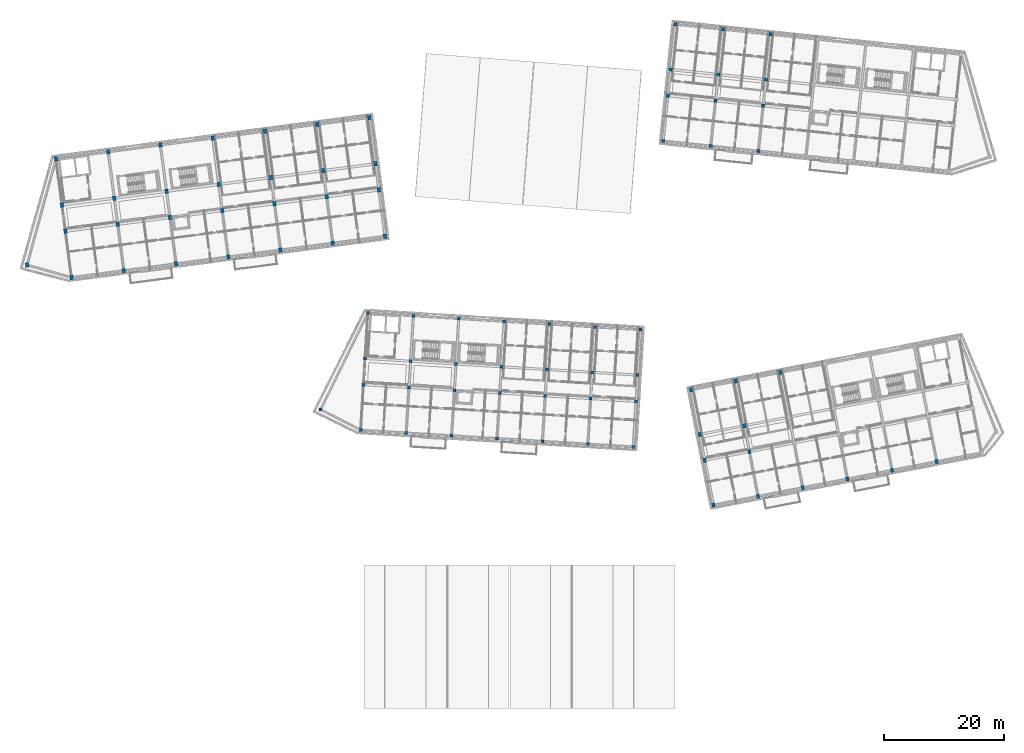
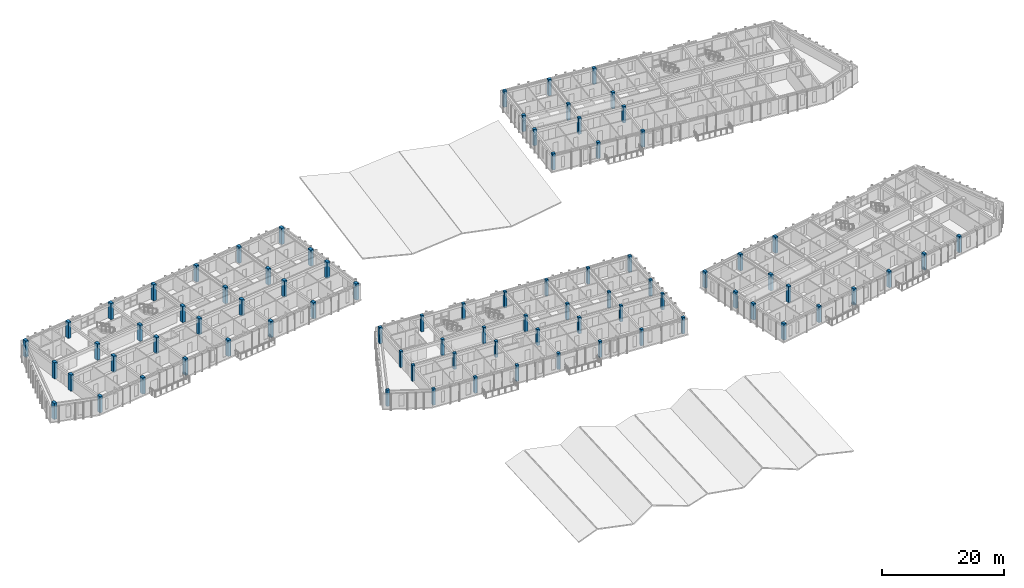
# One storey, part 1 of 74: 83 columns.
"""IFC4 building model written with IfcOpenShell, lengths in metres."""

from ifc_helpers import new_model, si_unit, direction, frame, origin, origin_2d, place, context, subcontext, project, spatial, rectangle, extrude, material, material_profile, profile_set, type_object, element, save


model = new_model("IFC4")

# Units and contexts
model_context = context("Model", 3, precision=1e-05, world=origin(), true_north=direction((0.0, 1.0)))
body_context = subcontext(model_context, "Body", "Model", "MODEL_VIEW")
ifc_project = project(units=[si_unit("LENGTHUNIT", "METRE"), si_unit("AREAUNIT", "SQUARE_METRE"), si_unit("VOLUMEUNIT", "CUBIC_METRE"), si_unit("PLANEANGLEUNIT", "RADIAN"), si_unit("MASSUNIT", "GRAM", prefix="KILO")], contexts=[model_context])

# Site, building, storey
site_placement = place(None, origin())
site = spatial("IfcSite", under=ifc_project, at=site_placement, CompositionType="ELEMENT")
building_placement = place(site_placement, origin())
building = spatial("IfcBuilding", under=site, at=building_placement, Name="Kestramere Prow Commons", CompositionType="ELEMENT")
storey_placement = place(building_placement, frame((0.0, 0.0, 11.64990234375)))
storey = spatial("IfcBuildingStorey", under=building, at=storey_placement, Name="L03", CompositionType="ELEMENT", Elevation=11.64990234375)

# Columns
ifc_material = material(Name="Precast concrete C40/50", Category="concrete")
ifc_material_profile_1 = material_profile(ifc_material, rectangle(XDim=0.550048828125, YDim=0.75, at=origin_2d()), Name="PC-COL 550x750")
ifc_profile_set_1 = profile_set([ifc_material_profile_1], Name="Precast concrete C40/50")
column_type_1 = type_object("IfcColumnType", Name="C-A2 PC-COL 550x750", PredefinedType="COLUMN", material=ifc_profile_set_1)
for number, where, z_axis, x_axis, name in (
    (1, (11.199951171875, 72.0, 0.0), (0.0, 0.0, 1.0), (0.991444861374, 0.13052619222, 0.0), "Block A L03 Column 1-1"),
    (2, (10.181884765625, 79.733154296875, 0.0), (0.0, 0.0, 1.0), (0.991444861374, 0.13052619222, 0.0), "Block A L03 Column 1-2"),
    (3, (9.607666015625, 84.095703125, 0.0), (0.0, 0.0, 1.0), (0.991444861374, 0.13052619222, 0.0), "Block A L03 Column 1-3"),
    (4, (8.58935546875, 91.828857421875, 0.0), (0.0, 0.0, 1.0), (0.991444861374, 0.13052619222, 0.0), "Block A L03 Column 1-4"),
    (5, (19.9248046875, 73.148681640625, 0.0), (0.0, 0.0, 1.0), (0.991444861374, 0.13052619222, 0.0), "Block A L03 Column 2-1"),
    (6, (18.906494140625, 80.8818359375, 0.0), (0.0, 0.0, 1.0), (0.991444861374, 0.13052619222, 0.0), "Block A L03 Column 2-2"),
    (7, (18.332275390625, 85.244140625, 0.0), (0.0, 0.0, 1.0), (0.991444861374, 0.13052619222, 0.0), "Block A L03 Column 2-3"),
    (8, (17.314208984375, 92.9775390625, 0.0), (0.0, 0.0, 1.0), (0.991444861374, 0.13052619222, 0.0), "Block A L03 Column 2-4"),
    (9, (28.6494140625, 74.29736328125, 0.0), (0.0, 0.0, 1.0), (0.991444861374, 0.13052619222, 0.0), "Block A L03 Column 3-1"),
    (10, (27.63134765625, 82.030517578125, 0.0), (0.0, 0.0, 1.0), (0.991444861374, 0.13052619222, 0.0), "Block A L03 Column 3-2"),
    (11, (27.05712890625, 86.392822265625, 0.0), (0.0, 0.0, 1.0), (0.991444861374, 0.13052619222, 0.0), "Block A L03 Column 3-3"),
    (12, (26.038818359375, 94.126220703125, 0.0), (0.0, 0.0, 1.0), (0.991444861374, 0.13052619222, 0.0), "Block A L03 Column 3-4"),
    (13, (37.3740234375, 75.44580078125, 0.0), (0.0, 0.0, 1.0), (0.991444861374, 0.13052619222, 0.0), "Block A L03 Column 4-1"),
    (14, (36.35595703125, 83.17919921875, 0.0), (0.0, 0.0, 1.0), (0.991444861374, 0.13052619222, 0.0), "Block A L03 Column 4-2"),
    (15, (35.78173828125, 87.54150390625, 0.0), (0.0, 0.0, 1.0), (0.991444861374, 0.13052619222, 0.0), "Block A L03 Column 4-3"),
    (16, (34.763671875, 95.27490234375, 0.0), (0.0, 0.0, 1.0), (0.991444861374, 0.13052619222, 0.0), "Block A L03 Column 4-4"),
    (17, (46.098876953125, 76.594482421875, 0.0), (0.0, 0.0, 1.0), (0.991444861374, 0.13052619222, 0.0), "Block A L03 Column 5-1"),
    (18, (45.080810546875, 84.327880859375, 0.0), (0.0, 0.0, 1.0), (0.991444861374, 0.13052619222, 0.0), "Block A L03 Column 5-2"),
    (19, (44.50634765625, 88.690185546875, 0.0), (0.0, 0.0, 1.0), (0.991444861374, 0.13052619222, 0.0), "Block A L03 Column 5-3"),
    (20, (43.48828125, 96.42333984375, 0.0), (0.0, 0.0, 1.0), (0.991444861374, 0.13052619222, 0.0), "Block A L03 Column 5-4"),
    (21, (54.823486328125, 77.7431640625, 0.0), (0.0, 0.0, 1.0), (0.991444861374, 0.13052619222, 0.0), "Block A L03 Column 6-1"),
    (22, (53.805419921875, 85.476318359375, 0.0), (0.0, 0.0, 1.0), (0.991444861374, 0.13052619222, 0.0), "Block A L03 Column 6-2"),
    (23, (53.231201171875, 89.8388671875, 0.0), (0.0, 0.0, 1.0), (0.991444861374, 0.13052619222, 0.0), "Block A L03 Column 6-3"),
    (24, (52.213134765625, 97.572021484375, 0.0), (0.0, 0.0, 1.0), (0.991444861374, 0.13052619222, 0.0), "Block A L03 Column 6-4"),
    (25, (63.54833984375, 78.891845703125, 0.0), (0.0, 0.0, 1.0), (0.991444861374, 0.13052619222, 0.0), "Block A L03 Column 7-1"),
    (26, (62.5302734375, 86.625, 0.0), (0.0, 0.0, 1.0), (0.991444861374, 0.13052619222, 0.0), "Block A L03 Column 7-2"),
    (27, (61.955810546875, 90.9873046875, 0.0), (0.0, 0.0, 1.0), (0.991444861374, 0.13052619222, 0.0), "Block A L03 Column 7-3"),
    (28, (60.937744140625, 98.720703125, 0.0), (0.0, 0.0, 1.0), (0.991444861374, 0.13052619222, 0.0), "Block A L03 Column 7-4"),
    (29, (3.7626953125, 74.09716796875, 0.0), (0.0, 0.0, 1.0), (0.991444861374, 0.13052619222, 0.0), "Block A L03 Prow Apex Column"),
):
    element("IfcColumn", number, at=place(storey_placement, frame(where, z_axis=z_axis, x_axis=x_axis)), inside=storey, type_object=column_type_1, Name=name, PredefinedType="COLUMN", context=body_context, shape_type="SweptSolid", body=[
        extrude(rectangle(XDim=0.550048828125, YDim=0.75, at=origin_2d()), origin(), (0.0, 0.0, 1.0), 3.25),
    ])
ifc_material_profile_2 = material_profile(ifc_material, rectangle(XDim=0.550048828125, YDim=0.550048828125, at=origin_2d()), Name="PC-COL 550x550")
ifc_profile_set_2 = profile_set([ifc_material_profile_2], Name="Precast concrete C40/50")
column_type_2 = type_object("IfcColumnType", Name="C-B2 PC-COL 550x550", PredefinedType="COLUMN", material=ifc_profile_set_2)
for number, where, z_axis, x_axis, name in (
    (30, (110.0, 94.800048828125, 0.0), (0.0, 0.0, 1.0), (0.994521895368, -0.104528463268, 0.0), "Block B L03 Column 1-1"),
    (31, (110.79443359375, 102.3583984375, 0.0), (0.0, 0.0, 1.0), (0.994521895368, -0.104528463268, 0.0), "Block B L03 Column 1-2"),
    (32, (111.25439453125, 106.734375, 0.0), (0.0, 0.0, 1.0), (0.994521895368, -0.104528463268, 0.0), "Block B L03 Column 1-3"),
    (33, (112.048828125, 114.292724609375, 0.0), (0.0, 0.0, 1.0), (0.994521895368, -0.104528463268, 0.0), "Block B L03 Column 1-4"),
    (34, (117.9560546875, 93.9638671875, 0.0), (0.0, 0.0, 1.0), (0.994521895368, -0.104528463268, 0.0), "Block B L03 Column 2-1"),
    (35, (118.75048828125, 101.522216796875, 0.0), (0.0, 0.0, 1.0), (0.994521895368, -0.104528463268, 0.0), "Block B L03 Column 2-2"),
    (36, (119.21044921875, 105.89794921875, 0.0), (0.0, 0.0, 1.0), (0.994521895368, -0.104528463268, 0.0), "Block B L03 Column 2-3"),
    (37, (120.0048828125, 113.456298828125, 0.0), (0.0, 0.0, 1.0), (0.994521895368, -0.104528463268, 0.0), "Block B L03 Column 2-4"),
    (38, (125.912353515625, 93.12744140625, 0.0), (0.0, 0.0, 1.0), (0.994521895368, -0.104528463268, 0.0), "Block B L03 Column 3-1"),
    (39, (126.706787109375, 100.685791015625, 0.0), (0.0, 0.0, 1.0), (0.994521895368, -0.104528463268, 0.0), "Block B L03 Column 3-2"),
    (40, (127.166748046875, 105.061767578125, 0.0), (0.0, 0.0, 1.0), (0.994521895368, -0.104528463268, 0.0), "Block B L03 Column 3-3"),
    (41, (127.961181640625, 112.6201171875, 0.0), (0.0, 0.0, 1.0), (0.994521895368, -0.104528463268, 0.0), "Block B L03 Column 3-4"),
):
    element("IfcColumn", number, at=place(storey_placement, frame(where, z_axis=z_axis, x_axis=x_axis)), inside=storey, type_object=column_type_2, Name=name, PredefinedType="COLUMN", context=body_context, shape_type="SweptSolid", body=[
        extrude(rectangle(XDim=0.550048828125, YDim=0.550048828125, at=origin_2d()), origin(), (0.0, 0.0, 1.0), 3.25),
    ])
ifc_material_profile_3 = material_profile(ifc_material, rectangle(XDim=0.5, YDim=0.5, at=origin_2d()), Name="PC-COL 500x500")
ifc_profile_set_3 = profile_set([ifc_material_profile_3], Name="Precast concrete C40/50")
column_type_3 = type_object("IfcColumnType", Name="C-C2 PC-COL 500x500", PredefinedType="COLUMN", material=ifc_profile_set_3)
for number, where, z_axis, x_axis, name in (
    (42, (59.5, 46.5, 0.0), (0.0, 0.0, 1.0), (0.998134798422, -0.061048539535, 0.0), "Block C L03 Column 1-1"),
    (43, (59.9638671875, 54.0859375, 0.0), (0.0, 0.0, 1.0), (0.998134798422, -0.061048539535, 0.0), "Block C L03 Column 1-2"),
    (44, (60.232666015625, 58.4775390625, 0.0), (0.0, 0.0, 1.0), (0.998134798422, -0.061048539535, 0.0), "Block C L03 Column 1-3"),
    (45, (60.696533203125, 66.0634765625, 0.0), (0.0, 0.0, 1.0), (0.998134798422, -0.061048539535, 0.0), "Block C L03 Column 1-4"),
    (46, (67.0859375, 46.0361328125, 0.0), (0.0, 0.0, 1.0), (0.998134798422, -0.061048539535, 0.0), "Block C L03 Column 2-1"),
    (47, (67.5498046875, 53.621826171875, 0.0), (0.0, 0.0, 1.0), (0.998134798422, -0.061048539535, 0.0), "Block C L03 Column 2-2"),
    (48, (67.818359375, 58.013671875, 0.0), (0.0, 0.0, 1.0), (0.998134798422, -0.061048539535, 0.0), "Block C L03 Column 2-3"),
    (49, (68.282470703125, 65.599365234375, 0.0), (0.0, 0.0, 1.0), (0.998134798422, -0.061048539535, 0.0), "Block C L03 Column 2-4"),
    (50, (74.671630859375, 45.572021484375, 0.0), (0.0, 0.0, 1.0), (0.998134798422, -0.061048539535, 0.0), "Block C L03 Column 3-1"),
    (51, (75.135498046875, 53.157958984375, 0.0), (0.0, 0.0, 1.0), (0.998134798422, -0.061048539535, 0.0), "Block C L03 Column 3-2"),
    (52, (75.404296875, 57.549560546875, 0.0), (0.0, 0.0, 1.0), (0.998134798422, -0.061048539535, 0.0), "Block C L03 Column 3-3"),
    (53, (75.8681640625, 65.135498046875, 0.0), (0.0, 0.0, 1.0), (0.998134798422, -0.061048539535, 0.0), "Block C L03 Column 3-4"),
    (54, (82.257568359375, 45.108154296875, 0.0), (0.0, 0.0, 1.0), (0.998134798422, -0.061048539535, 0.0), "Block C L03 Column 4-1"),
    (55, (82.721435546875, 52.69384765625, 0.0), (0.0, 0.0, 1.0), (0.998134798422, -0.061048539535, 0.0), "Block C L03 Column 4-2"),
    (56, (82.989990234375, 57.085693359375, 0.0), (0.0, 0.0, 1.0), (0.998134798422, -0.061048539535, 0.0), "Block C L03 Column 4-3"),
    (57, (83.4541015625, 64.671630859375, 0.0), (0.0, 0.0, 1.0), (0.998134798422, -0.061048539535, 0.0), "Block C L03 Column 4-4"),
    (58, (89.84326171875, 44.64404296875, 0.0), (0.0, 0.0, 1.0), (0.998134798422, -0.061048539535, 0.0), "Block C L03 Column 5-1"),
    (59, (90.307373046875, 52.22998046875, 0.0), (0.0, 0.0, 1.0), (0.998134798422, -0.061048539535, 0.0), "Block C L03 Column 5-2"),
    (60, (90.575927734375, 56.621826171875, 0.0), (0.0, 0.0, 1.0), (0.998134798422, -0.061048539535, 0.0), "Block C L03 Column 5-3"),
    (61, (91.039794921875, 64.20751953125, 0.0), (0.0, 0.0, 1.0), (0.998134798422, -0.061048539535, 0.0), "Block C L03 Column 5-4"),
    (62, (97.42919921875, 44.18017578125, 0.0), (0.0, 0.0, 1.0), (0.998134798422, -0.061048539535, 0.0), "Block C L03 Column 6-1"),
    (63, (97.89306640625, 51.765869140625, 0.0), (0.0, 0.0, 1.0), (0.998134798422, -0.061048539535, 0.0), "Block C L03 Column 6-2"),
    (64, (98.16162109375, 56.15771484375, 0.0), (0.0, 0.0, 1.0), (0.998134798422, -0.061048539535, 0.0), "Block C L03 Column 6-3"),
    (65, (98.625732421875, 63.74365234375, 0.0), (0.0, 0.0, 1.0), (0.998134798422, -0.061048539535, 0.0), "Block C L03 Column 6-4"),
    (66, (105.014892578125, 43.71630859375, 0.0), (0.0, 0.0, 1.0), (0.998134798422, -0.061048539535, 0.0), "Block C L03 Column 7-1"),
    (67, (105.47900390625, 51.302001953125, 0.0), (0.0, 0.0, 1.0), (0.998134798422, -0.061048539535, 0.0), "Block C L03 Column 7-2"),
    (68, (105.74755859375, 55.69384765625, 0.0), (0.0, 0.0, 1.0), (0.998134798422, -0.061048539535, 0.0), "Block C L03 Column 7-3"),
    (69, (106.21142578125, 63.279541015625, 0.0), (0.0, 0.0, 1.0), (0.998134798422, -0.061048539535, 0.0), "Block C L03 Column 7-4"),
    (70, (52.799072265625, 49.965576171875, 0.0), (0.0, 0.0, 1.0), (0.998134798422, -0.061048539535, 0.0), "Block C L03 Prow Apex Column"),
):
    element("IfcColumn", number, at=place(storey_placement, frame(where, z_axis=z_axis, x_axis=x_axis)), inside=storey, type_object=column_type_3, Name=name, PredefinedType="COLUMN", context=body_context, shape_type="SweptSolid", body=[
        extrude(rectangle(XDim=0.5, YDim=0.5, at=origin_2d()), origin(), (0.0, 0.0, 1.0), 3.25),
    ])
ifc_material_profile_4 = material_profile(ifc_material, rectangle(XDim=0.5, YDim=0.699951171875, at=origin_2d()), Name="PC-COL 500x700")
ifc_profile_set_4 = profile_set([ifc_material_profile_4], Name="Precast concrete C40/50")
column_type_4 = type_object("IfcColumnType", Name="C-D2 PC-COL 500x700", PredefinedType="COLUMN", material=ifc_profile_set_4)
for number, where, z_axis, x_axis, name in (
    (71, (118.39990234375, 34.0, 0.0), (0.0, 0.0, 1.0), (0.981627183448, 0.190808995377, 0.0), "Block D L03 Column 1-1"),
    (72, (116.949951171875, 41.46044921875, 0.0), (0.0, 0.0, 1.0), (0.981627183448, 0.190808995377, 0.0), "Block D L03 Column 1-2"),
    (73, (116.1103515625, 45.779541015625, 0.0), (0.0, 0.0, 1.0), (0.981627183448, 0.190808995377, 0.0), "Block D L03 Column 1-3"),
    (74, (114.66015625, 53.239990234375, 0.0), (0.0, 0.0, 1.0), (0.981627183448, 0.190808995377, 0.0), "Block D L03 Column 1-4"),
    (75, (125.8603515625, 35.4501953125, 0.0), (0.0, 0.0, 1.0), (0.981627183448, 0.190808995377, 0.0), "Block D L03 Column 2-1"),
    (76, (124.41015625, 42.910400390625, 0.0), (0.0, 0.0, 1.0), (0.981627183448, 0.190808995377, 0.0), "Block D L03 Column 2-2"),
    (77, (123.570556640625, 47.229736328125, 0.0), (0.0, 0.0, 1.0), (0.981627183448, 0.190808995377, 0.0), "Block D L03 Column 2-3"),
    (78, (122.12060546875, 54.68994140625, 0.0), (0.0, 0.0, 1.0), (0.981627183448, 0.190808995377, 0.0), "Block D L03 Column 2-4"),
    (79, (133.32080078125, 36.900390625, 0.0), (0.0, 0.0, 1.0), (0.981627183448, 0.190808995377, 0.0), "Block D L03 Column 3-1"),
    (80, (129.580810546875, 56.14013671875, 0.0), (0.0, 0.0, 1.0), (0.981627183448, 0.190808995377, 0.0), "Block D L03 Column 3-4"),
    (81, (140.781005859375, 38.350341796875, 0.0), (0.0, 0.0, 1.0), (0.981627183448, 0.190808995377, 0.0), "Block D L03 Column 4-1"),
    (82, (148.241455078125, 39.800537109375, 0.0), (0.0, 0.0, 1.0), (0.981627183448, 0.190808995377, 0.0), "Block D L03 Column 5-1"),
    (83, (155.701904296875, 41.250732421875, 0.0), (0.0, 0.0, 1.0), (0.981627183448, 0.190808995377, 0.0), "Block D L03 Column 6-1"),
):
    element("IfcColumn", number, at=place(storey_placement, frame(where, z_axis=z_axis, x_axis=x_axis)), inside=storey, type_object=column_type_4, Name=name, PredefinedType="COLUMN", context=body_context, shape_type="SweptSolid", body=[
        extrude(rectangle(XDim=0.5, YDim=0.699951171875, at=origin_2d()), origin(), (0.0, 0.0, 1.0), 3.25),
    ])

save(model, "model.ifc")
